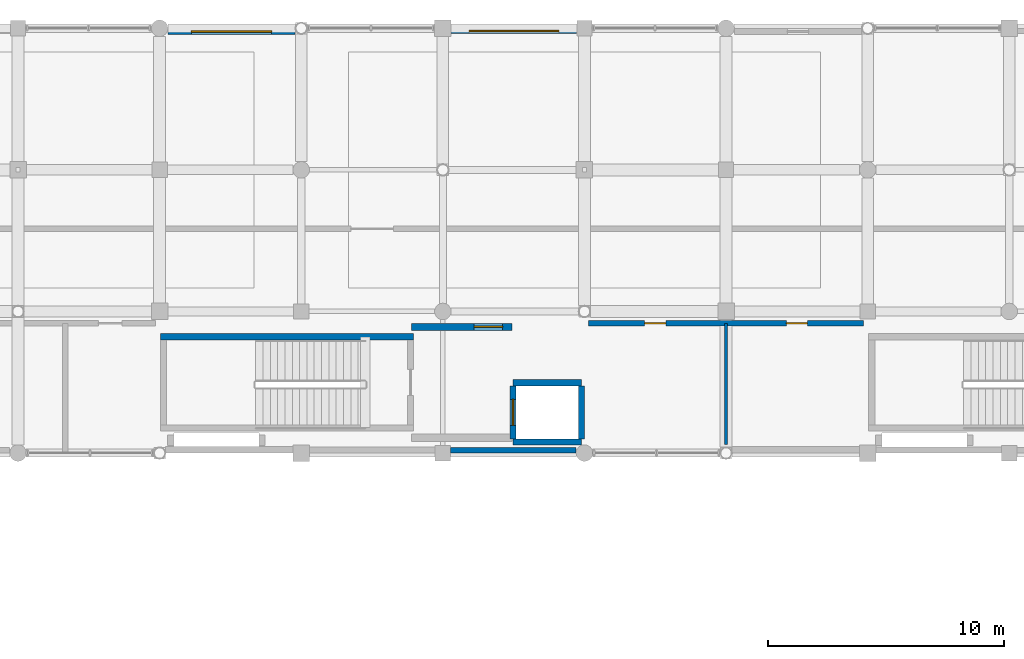
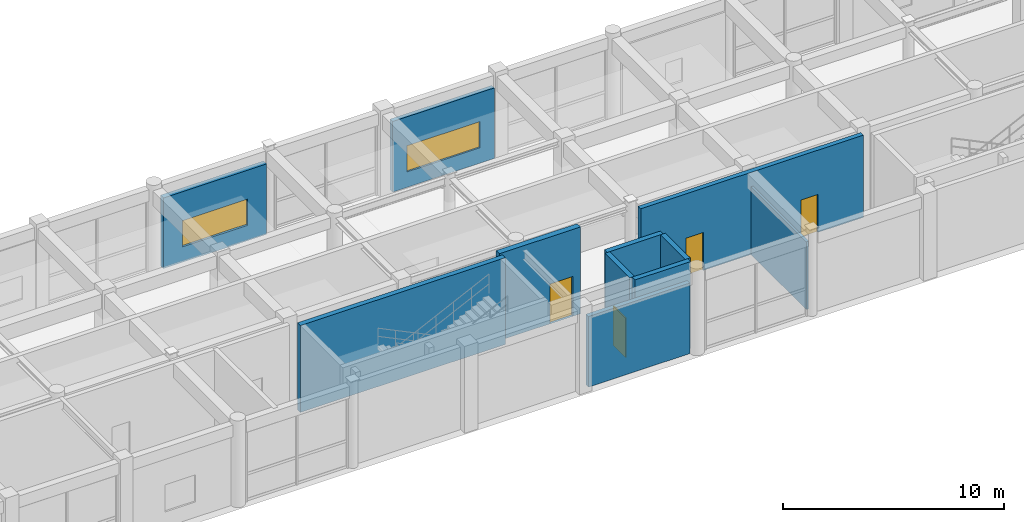
# One storey, part 95 of 112: 11 walls, 4 doors, 2 windows, 6 openings.
"""IFC4 building model written with IfcOpenShell, lengths in metres."""

from ifc_helpers import new_model, si_unit, direction, frame, frame_2d, origin, place, context, subcontext, project, spatial, rectangle, extrude, material, layer, layer_set, type_object, element, fill, save


model = new_model("IFC4")

# Units and contexts
model_context = context("Model", 3, precision=1e-05, world=origin(), true_north=direction((0.0, 1.0)))
body_context = subcontext(model_context, "Body", "Model", "MODEL_VIEW")
ifc_project = project(units=[si_unit("LENGTHUNIT", "METRE"), si_unit("AREAUNIT", "SQUARE_METRE"), si_unit("VOLUMEUNIT", "CUBIC_METRE"), si_unit("PLANEANGLEUNIT", "RADIAN"), si_unit("MASSUNIT", "GRAM", prefix="KILO"), si_unit("THERMODYNAMICTEMPERATUREUNIT", "KELVIN"), si_unit("POWERUNIT", "WATT")], contexts=[model_context])

# Site, building, storey
site_placement = place(None, origin())
site = spatial("IfcSite", under=ifc_project, at=site_placement, CompositionType="ELEMENT")
building_placement = place(site_placement, origin())
building = spatial("IfcBuilding", under=site, at=building_placement, Name="Phaisarnlok Congress Hotel", CompositionType="ELEMENT")
storey_placement = place(building_placement, frame((0.0, 0.0, 19.800048828125)))
storey = spatial("IfcBuildingStorey", under=building, at=storey_placement, Name="L04", CompositionType="ELEMENT", Elevation=19.800048828125)

# Wall
ifc_material_1 = material(Name="Concrete C40/50", Category="concrete")
ifc_layer_1 = layer(ifc_material_1, 0.22998046875, Name="Concrete C40/50")
ifc_layer_set_1 = layer_set([ifc_layer_1], Name="Concrete C40/50")
wall_type_1 = type_object("IfcWallType", Name="WL-EXT-230", PredefinedType="SOLIDWALL", material=ifc_layer_set_1)
wall_1_placement = place(storey_placement, frame((114.330078125, 108.114990234375, 0.0), z_axis=(0.0, 0.0, 1.0), x_axis=(1.0, 0.0, 0.0)))
element("IfcWall", 1, at=wall_1_placement, inside=storey, type_object=wall_type_1, Name="Exterior wall EW-06 (L04)", PredefinedType="SOLIDWALL", context=body_context, shape_type="SweptSolid", body=[
    extrude(rectangle(XDim=5.31494140625, YDim=0.22998046875, at=frame_2d((2.657470703125, 0.0))), origin(), (0.0, 0.0, 1.0), 3.89990234375),
])

# Wall, opening, window
wall_2_placement = place(storey_placement, frame((119.669921875, 125.885009765625, 0.0), z_axis=(0.0, 0.0, 1.0), x_axis=(-1.0, 0.0, 0.0)))
wall_2 = element("IfcWall", 2, at=wall_2_placement, inside=storey, type_object=wall_type_1, Name="Exterior wall EW-06 (L04)", PredefinedType="SOLIDWALL", context=body_context, shape_type="SweptSolid", body=[
    extrude(rectangle(XDim=5.31494140625, YDim=0.22998046875, at=frame_2d((2.657470703125, 0.0))), origin(), (0.0, 0.0, 1.0), 3.89990234375),
])
opening_1_placement = place(wall_2_placement, frame((0.757080078125, 0.0, 0.85009765625)))
opening_1 = element("IfcOpeningElement", 3, at=opening_1_placement, cuts=wall_2, Name="Opening W-17", PredefinedType="OPENING", context=body_context, shape_type="SweptSolid", body=[
    extrude(rectangle(XDim=3.800048828125, YDim=1.449951171875, at=frame_2d((1.89990234375, 0.72509765625))), frame((0.0, 0.125, 0.0), z_axis=(0.0, -1.0, 0.0), x_axis=(1.0, 0.0, 0.0)), (0.0, 0.0, 1.0), 0.25),
])
ifc_material_2 = material(Name="Thermally Broken Aluminium & Low-E Double Glazing", Category="aluminium")
window_type_1 = type_object("IfcWindowType", Name="WIN-RIB-3800", PartitioningType="SINGLE_PANEL", PredefinedType="WINDOW", material=ifc_material_2)
window_1_placement = place(opening_1_placement, origin())
window_1 = element("IfcWindow", 4, at=window_1_placement, inside=storey, type_object=window_type_1, Name="Podium window W-17 (L04)", OverallHeight=1.449951171875, OverallWidth=3.800048828125, PartitioningType="SINGLE_PANEL", PredefinedType="WINDOW", context=body_context, shape_type="SweptSolid", body=[
    extrude(rectangle(XDim=3.800048828125, YDim=1.449951171875, at=frame_2d((1.89990234375, 0.72509765625))), frame((0.0, 0.030029296875, 0.0), z_axis=(0.0, -1.0, 0.0), x_axis=(1.0, 0.0, 0.0)), (0.0, 0.0, 1.0), 0.06005859375),
])
fill(opening_1, window_1)

ifc_layer_2 = layer(ifc_material_1, 0.27001953125, Name="Concrete C40/50")
ifc_layer_set_2 = layer_set([ifc_layer_2], Name="Concrete C40/50")
wall_type_2 = type_object("IfcWallType", Name="WL-EXT-270", PredefinedType="SOLIDWALL", material=ifc_layer_set_2)
wall_3_placement = place(storey_placement, frame((107.740966796875, 125.864990234375, 0.0), z_axis=(0.0, 0.0, 1.0), x_axis=(-1.0, 0.0, 0.0)))
wall_3 = element("IfcWall", 5, at=wall_3_placement, inside=storey, type_object=wall_type_2, Name="Exterior wall EW-04 (L04)", PredefinedType="SOLIDWALL", context=body_context, shape_type="SweptSolid", body=[
    extrude(rectangle(XDim=5.385986328125, YDim=0.27001953125, at=frame_2d((2.69287109375, 0.0))), origin(), (0.0, 0.0, 1.0), 3.89990234375),
])
opening_2_placement = place(wall_3_placement, frame((0.992919921875, 0.0, 0.85009765625)))
opening_2 = element("IfcOpeningElement", 6, at=opening_2_placement, cuts=wall_3, Name="Opening W-18", PredefinedType="OPENING", context=body_context, shape_type="SweptSolid", body=[
    extrude(rectangle(XDim=3.39990234375, YDim=1.449951171875, at=frame_2d((1.699951171875, 0.72509765625))), frame((0.0, 0.14501953125, 0.0), z_axis=(0.0, -1.0, 0.0), x_axis=(1.0, 0.0, 0.0)), (0.0, 0.0, 1.0), 0.2900390625),
])
window_type_2 = type_object("IfcWindowType", Name="WIN-RIB-3400", PartitioningType="SINGLE_PANEL", PredefinedType="WINDOW", material=ifc_material_2)
window_2_placement = place(opening_2_placement, origin())
window_2 = element("IfcWindow", 7, at=window_2_placement, inside=storey, type_object=window_type_2, Name="Podium window W-18 (L04)", OverallHeight=1.449951171875, OverallWidth=3.39990234375, PartitioningType="SINGLE_PANEL", PredefinedType="WINDOW", context=body_context, shape_type="SweptSolid", body=[
    extrude(rectangle(XDim=3.39990234375, YDim=1.449951171875, at=frame_2d((1.699951171875, 0.72509765625))), frame((0.0, 0.030029296875, 0.0), z_axis=(0.0, -1.0, 0.0), x_axis=(1.0, 0.0, 0.0)), (0.0, 0.0, 1.0), 0.06005859375),
])
fill(opening_2, window_2)

# Wall
ifc_material_3 = material(Name="Lightweight Metal-Stud Gypsum Partition", Category="gypsum")
ifc_layer_3 = layer(ifc_material_3, 0.1201171875, Name="Lightweight Metal-Stud Gypsum Partition")
ifc_layer_set_3 = layer_set([ifc_layer_3], Name="Lightweight Metal-Stud Gypsum Partition")
wall_type_3 = type_object("IfcWallType", Name="WL-INT-120", PredefinedType="PARTITIONING", material=ifc_layer_set_3)
wall_4_placement = place(storey_placement, frame((126.0, 108.3701171875, 0.0), z_axis=(0.0, 0.0, 1.0), x_axis=(0.0, 1.0, 0.0)))
element("IfcWall", 8, at=wall_4_placement, inside=storey, type_object=wall_type_3, Name="Interior partition wall IW-07 (L04)", PredefinedType="PARTITIONING", context=body_context, shape_type="SweptSolid", body=[
    extrude(rectangle(XDim=5.1298828125, YDim=0.1201171875, at=frame_2d((2.56494140625, 0.0))), origin(), (0.0, 0.0, 1.0), 3.75),
])

# Wall, openings, doors
ifc_layer_4 = layer(ifc_material_1, 0.239990234375, Name="Concrete C40/50")
ifc_layer_set_4 = layer_set([ifc_layer_4], Name="Concrete C40/50")
wall_type_4 = type_object("IfcWallType", Name="WL-INT-240", PredefinedType="PARTITIONING", material=ifc_layer_set_4)
wall_5_placement = place(storey_placement, frame((120.179931640625, 113.5, 0.0), z_axis=(0.0, 0.0, 1.0), x_axis=(1.0, 0.0, 0.0)))
wall_5 = element("IfcWall", 9, at=wall_5_placement, inside=storey, type_object=wall_type_4, Name="Interior partition wall IW-01 (L04)", PredefinedType="PARTITIONING", context=body_context, shape_type="SweptSolid", body=[
    extrude(rectangle(XDim=11.64013671875, YDim=0.239990234375, at=frame_2d((5.820068359375, 0.0))), origin(), (0.0, 0.0, 1.0), 4.550048828125),
])
opening_3_placement = place(wall_5_placement, frame((2.3701171875, 0.0, 0.0)))
opening_3 = element("IfcOpeningElement", 10, at=opening_3_placement, cuts=wall_5, Name="Opening D-0134", PredefinedType="OPENING", context=body_context, shape_type="SweptSolid", body=[
    extrude(rectangle(XDim=0.89990234375, YDim=2.10009765625, at=frame_2d((0.449951171875, 1.050048828125))), frame((0.0, 0.1298828125, 0.0), z_axis=(0.0, -1.0, 0.0), x_axis=(1.0, 0.0, 0.0)), (0.0, 0.0, 1.0), 0.260009765625),
])
opening_4_placement = place(wall_5_placement, frame((8.3701171875, 0.0, 0.0)))
opening_4 = element("IfcOpeningElement", 11, at=opening_4_placement, cuts=wall_5, Name="Opening D-0135", PredefinedType="OPENING", context=body_context, shape_type="SweptSolid", body=[
    extrude(rectangle(XDim=0.89990234375, YDim=2.10009765625, at=frame_2d((0.449951171875, 1.050048828125))), frame((0.0, 0.1298828125, 0.0), z_axis=(0.0, -1.0, 0.0), x_axis=(1.0, 0.0, 0.0)), (0.0, 0.0, 1.0), 0.260009765625),
])
ifc_material_4 = material(Name="Solid-Core Oak Veneer", Category="wood")
door_type_1 = type_object("IfcDoorType", Name="DR-INT-900", OperationType="NOTDEFINED", PredefinedType="DOOR", material=ifc_material_4)
door_1_placement = place(opening_3_placement, origin())
door_1 = element("IfcDoor", 12, at=door_1_placement, inside=storey, type_object=door_type_1, Name="Interior door D-0134 (L04)", OperationType="SINGLE_SWING_RIGHT", OverallHeight=2.10009765625, OverallWidth=0.89990234375, PredefinedType="DOOR", context=body_context, shape_type="SweptSolid", body=[
    extrude(rectangle(XDim=0.89990234375, YDim=2.10009765625, at=frame_2d((0.449951171875, 1.050048828125))), frame((0.0, 0.02490234375, 0.0), z_axis=(0.0, -1.0, 0.0), x_axis=(1.0, 0.0, 0.0)), (0.0, 0.0, 1.0), 0.050048828125),
])
fill(opening_3, door_1)
door_2_placement = place(opening_4_placement, origin())
door_2 = element("IfcDoor", 13, at=door_2_placement, inside=storey, type_object=door_type_1, Name="Interior door D-0135 (L04)", OperationType="SINGLE_SWING_LEFT", OverallHeight=2.10009765625, OverallWidth=0.89990234375, PredefinedType="DOOR", context=body_context, shape_type="SweptSolid", body=[
    extrude(rectangle(XDim=0.89990234375, YDim=2.10009765625, at=frame_2d((0.449951171875, 1.050048828125))), frame((0.0, 0.02490234375, 0.0), z_axis=(0.0, -1.0, 0.0), x_axis=(1.0, 0.0, 0.0)), (0.0, 0.0, 1.0), 0.050048828125),
])
fill(opening_4, door_2)

# Walls
ifc_material_5 = material(Name="Concrete C50/60", Category="concrete")
ifc_layer_5 = layer(ifc_material_5, 0.260009765625, Name="Concrete C50/60")
ifc_layer_set_5 = layer_set([ifc_layer_5], Name="Concrete C50/60")
wall_type_5 = type_object("IfcWallType", Name="WL-SHR-260", PredefinedType="SHEAR", material=ifc_layer_set_5)
wall_6_placement = place(storey_placement, frame((102.0400390625, 112.929931640625, 0.0), z_axis=(0.0, 0.0, 1.0), x_axis=(1.0, 0.0, 0.0)))
element("IfcWall", 14, at=wall_6_placement, inside=storey, type_object=wall_type_5, Name="Stair shaft shear wall SW-04 (CORE-4 L04)", PredefinedType="SHEAR", context=body_context, shape_type="SweptSolid", body=[
    extrude(rectangle(XDim=10.719970703125, YDim=0.260009765625, at=frame_2d((5.35986328125, 0.0))), origin(), (0.0, 0.0, 1.0), 4.800048828125),
])
for number, where, z_axis, x_axis, name in (
    (15, (116.969970703125, 108.469970703125, 0.0), (0.0, 0.0, 1.0), (1.0, 0.0, 0.0), "Lift shaft shear wall SW-04 (LF-HP4 L04)"),
    (16, (116.969970703125, 110.97998046875, 0.0), (0.0, 0.0, 1.0), (1.0, 0.0, 0.0), "Lift shaft shear wall SW-04 (LF-HP4 L04)"),
):
    element("IfcWall", number, at=place(storey_placement, frame(where, z_axis=z_axis, x_axis=x_axis)), inside=storey, type_object=wall_type_5, Name=name, PredefinedType="SHEAR", context=body_context, shape_type="SweptSolid", body=[
        extrude(rectangle(XDim=2.909912109375, YDim=0.260009765625, at=frame_2d((1.455078125, 0.0))), origin(), (0.0, 0.0, 1.0), 4.800048828125),
    ])
wall_7_placement = place(storey_placement, frame((119.8798828125, 108.60009765625, 0.0), z_axis=(0.0, 0.0, 1.0), x_axis=(0.0, 1.0, 0.0)))
element("IfcWall", 17, at=wall_7_placement, inside=storey, type_object=wall_type_5, Name="Lift shaft shear wall SW-04 (LF-HP4 L04)", PredefinedType="SHEAR", context=body_context, shape_type="SweptSolid", body=[
    extrude(rectangle(XDim=2.25, YDim=0.260009765625, at=frame_2d((1.125, 0.0))), origin(), (0.0, 0.0, 1.0), 4.800048828125),
])

# Wall, opening, door
wall_8_placement = place(storey_placement, frame((116.969970703125, 108.60009765625, 0.0), z_axis=(0.0, 0.0, 1.0), x_axis=(0.0, 1.0, 0.0)))
wall_8 = element("IfcWall", 18, at=wall_8_placement, inside=storey, type_object=wall_type_5, Name="Lift shaft front wall SW-04 (LF-HP4 L04)", PredefinedType="SHEAR", context=body_context, shape_type="SweptSolid", body=[
    extrude(rectangle(XDim=2.25, YDim=0.260009765625, at=frame_2d((1.125, 0.0))), origin(), (0.0, 0.0, 1.0), 4.800048828125),
])
opening_5_placement = place(wall_8_placement, frame((0.574951171875, 0.0, 0.0)))
opening_5 = element("IfcOpeningElement", 19, at=opening_5_placement, cuts=wall_8, Name="Opening LD-096", PredefinedType="OPENING", context=body_context, shape_type="SweptSolid", body=[
    extrude(rectangle(XDim=1.10009765625, YDim=2.199951171875, at=frame_2d((0.550048828125, 1.10009765625))), frame((0.0, 0.14013671875, 0.0), z_axis=(0.0, -1.0, 0.0), x_axis=(1.0, 0.0, 0.0)), (0.0, 0.0, 1.0), 0.280029296875),
])
ifc_material_6 = material(Name="Brushed Stainless Steel Grade 304", Category="steel")
door_type_2 = type_object("IfcDoorType", Name="DR-LD-1100", OperationType="DOUBLE_DOOR_SLIDING", PredefinedType="DOOR", material=ifc_material_6)
door_3_placement = place(opening_5_placement, origin())
door_3 = element("IfcDoor", 20, at=door_3_placement, inside=storey, type_object=door_type_2, Name="Lift landing sliding door LD-096 (LF-HP4 L04)", OperationType="DOUBLE_DOOR_SLIDING", OverallHeight=2.199951171875, OverallWidth=1.10009765625, PredefinedType="DOOR", context=body_context, shape_type="SweptSolid", body=[
    extrude(rectangle(XDim=1.10009765625, YDim=2.199951171875, at=frame_2d((0.550048828125, 1.10009765625))), frame((0.0, 0.02490234375, 0.0), z_axis=(0.0, -1.0, 0.0), x_axis=(1.0, 0.0, 0.0)), (0.0, 0.0, 1.0), 0.050048828125),
])
fill(opening_5, door_3)

ifc_layer_6 = layer(ifc_material_5, 0.300048828125, Name="Concrete C50/60")
ifc_layer_set_6 = layer_set([ifc_layer_6], Name="Concrete C50/60")
wall_type_6 = type_object("IfcWallType", Name="WL-SHR-300", PredefinedType="SHEAR", material=ifc_layer_set_6)
wall_9_placement = place(storey_placement, frame((112.679931640625, 113.35009765625, 0.0), z_axis=(0.0, 0.0, 1.0), x_axis=(1.0, 0.0, 0.0)))
wall_9 = element("IfcWall", 21, at=wall_9_placement, inside=storey, type_object=wall_type_6, Name="Core lobby EI-120 wall SW-03 (CORE-4 L04)", PredefinedType="SHEAR", context=body_context, shape_type="SweptSolid", body=[
    extrude(rectangle(XDim=4.239990234375, YDim=0.300048828125, at=frame_2d((2.1201171875, 0.0))), origin(), (0.0, 0.0, 1.0), 4.800048828125),
])
opening_6_placement = place(wall_9_placement, frame((2.64990234375, 0.0, 0.0)))
opening_6 = element("IfcOpeningElement", 22, at=opening_6_placement, cuts=wall_9, Name="Opening FD-111", PredefinedType="OPENING", context=body_context, shape_type="SweptSolid", body=[
    extrude(rectangle(XDim=1.199951171875, YDim=2.199951171875, at=frame_2d((0.60009765625, 1.10009765625))), frame((0.0, 0.16015625, 0.0), z_axis=(0.0, -1.0, 0.0), x_axis=(1.0, 0.0, 0.0)), (0.0, 0.0, 1.0), 0.320068359375),
])
ifc_material_7 = material(Name="Fire-Rated Steel Frame & Timber Leaf", Category="steel")
door_type_3 = type_object("IfcDoorType", Name="DR-FD60-1200", OperationType="NOTDEFINED", PredefinedType="DOOR", material=ifc_material_7)
door_4_placement = place(opening_6_placement, origin())
door_4 = element("IfcDoor", 23, at=door_4_placement, inside=storey, type_object=door_type_3, Name="Firefighting lobby entrance door FD-111 (CORE-4 L04)", OperationType="SINGLE_SWING_RIGHT", OverallHeight=2.199951171875, OverallWidth=1.199951171875, PredefinedType="DOOR", context=body_context, shape_type="SweptSolid", body=[
    extrude(rectangle(XDim=1.199951171875, YDim=2.199951171875, at=frame_2d((0.60009765625, 1.10009765625))), frame((0.0, 0.02490234375, 0.0), z_axis=(0.0, -1.0, 0.0), x_axis=(1.0, 0.0, 0.0)), (0.0, 0.0, 1.0), 0.050048828125),
])
fill(opening_6, door_4)

save(model, "model.ifc")
